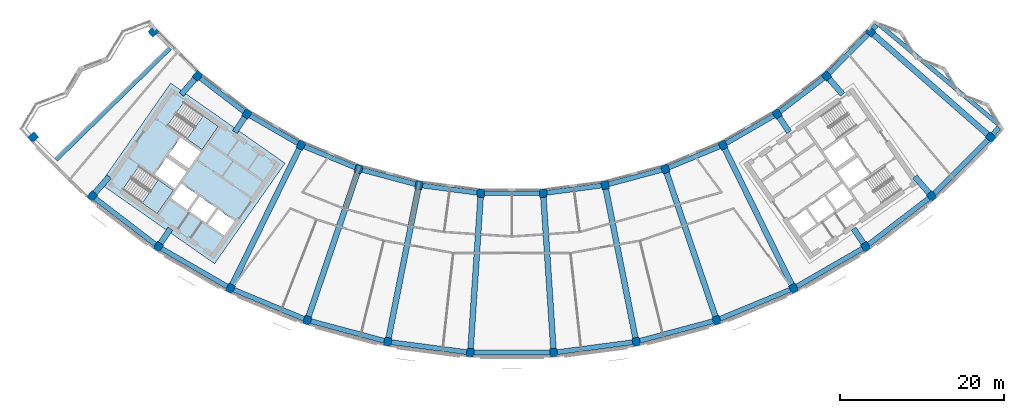
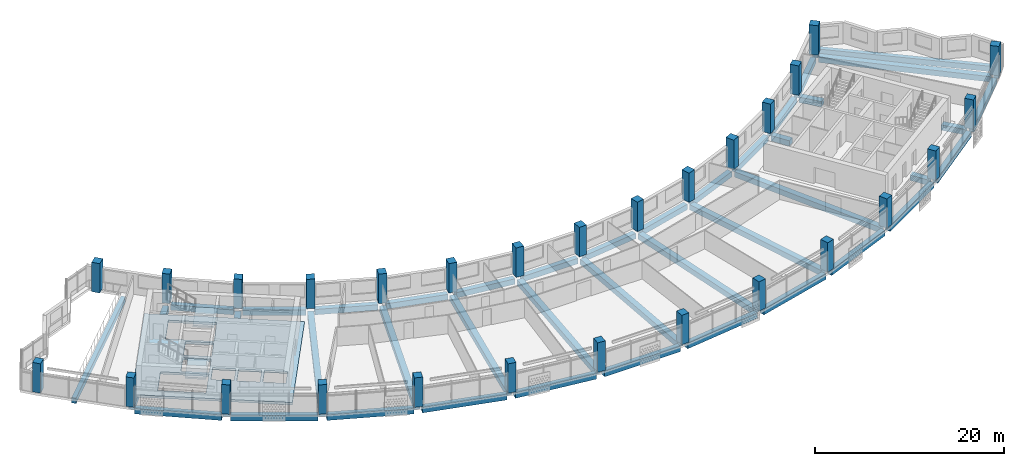
# One storey, part 1 of 29: 45 beams, 28 columns, 3 slabs, 2 elements without a shape of their own.
"""IFC4 building model written with IfcOpenShell, lengths in metres."""

from ifc_helpers import new_model, si_unit, direction, frame, origin, origin_2d, place, context, subcontext, project, spatial, polyline, rectangle, outline, extrude, material, layer, layer_set, material_profile, profile_set, type_object, element, aggregate, save


model = new_model("IFC4")

# Units and contexts
model_context = context("Model", 3, precision=1e-05, world=origin(), true_north=direction((0.0, 1.0)))
body_context = subcontext(model_context, "Body", "Model", "MODEL_VIEW")
ifc_project = project(units=[si_unit("LENGTHUNIT", "METRE"), si_unit("AREAUNIT", "SQUARE_METRE"), si_unit("VOLUMEUNIT", "CUBIC_METRE"), si_unit("PLANEANGLEUNIT", "RADIAN"), si_unit("MASSUNIT", "GRAM", prefix="KILO")], contexts=[model_context])

# Site, building, storey
site_placement = place(None, origin())
site = spatial("IfcSite", under=ifc_project, at=site_placement, CompositionType="ELEMENT")
building_placement = place(site_placement, origin())
building = spatial("IfcBuilding", under=site, at=building_placement, Name="Qamariyya Broadcast Tower", CompositionType="ELEMENT")
storey_placement = place(building_placement, frame((0.0, 0.0, 261.89990234375)))
storey = spatial("IfcBuildingStorey", under=building, at=storey_placement, Name="L63", CompositionType="ELEMENT", Elevation=261.89990234375)

# Columns
ifc_material_1 = material(Name="Concrete C50/60", Category="concrete")
ifc_material_profile_1 = material_profile(ifc_material_1, rectangle(XDim=0.89990234375, YDim=1.0, at=origin_2d()))
ifc_profile_set_1 = profile_set([ifc_material_profile_1], Name="Concrete C50/60")
column_type = type_object("IfcColumnType", Name="RC column 900 x 1000 C50/60", PredefinedType="COLUMN", material=ifc_profile_set_1)
for number, where, z_axis, x_axis, name in (
    (1, (-43.794677734375, -38.406982421875, 0.0), (0.0, 0.0, 1.0), (0.6593458151, -0.751839807479, 0.0), "Column C12 L63 B-R04"),
    (2, (-58.45556640625, -51.26416015625, 0.0), (0.0, 0.0, 1.0), (0.6593458151, -0.751839807479, 0.0), "Column C12 L63 C-R04"),
    (3, (-38.406982421875, -43.794677734375, 0.0), (0.0, 0.0, 1.0), (0.751839807479, -0.6593458151, 0.0), "Column C12 L63 B-R05"),
    (4, (-51.26416015625, -58.45556640625, 0.0), (0.0, 0.0, 1.0), (0.751839807479, -0.6593458151, 0.0), "Column C12 L63 C-R05"),
    (5, (-32.362060546875, -48.43310546875, 0.0), (0.0, 0.0, 1.0), (0.831469612303, -0.55557023302, 0.0), "Column C12 L63 B-R06"),
    (6, (-43.195556640625, -64.646728515625, 0.0), (0.0, 0.0, 1.0), (0.831469612303, -0.55557023302, 0.0), "Column C12 L63 C-R06"),
    (7, (-25.763427734375, -52.242919921875, 0.0), (0.0, 0.0, 1.0), (0.896872741533, -0.442288690219, 0.0), "Column C12 L63 B-R07"),
    (8, (-34.387939453125, -69.73193359375, 0.0), (0.0, 0.0, 1.0), (0.896872741533, -0.442288690219, 0.0), "Column C12 L63 C-R07"),
    (9, (-18.723876953125, -55.15869140625, 0.0), (0.0, 0.0, 1.0), (0.946930129495, -0.321439465303, 0.0), "Column C12 L63 B-R08"),
    (10, (-24.991943359375, -73.623779296875, 0.0), (0.0, 0.0, 1.0), (0.946930129495, -0.321439465303, 0.0), "Column C12 L63 C-R08"),
    (11, (-11.364013671875, -57.130859375, 0.0), (0.0, 0.0, 1.0), (0.980785280403, -0.195090322016, 0.0), "Column C12 L63 B-R09"),
    (12, (-15.168212890625, -76.256103515625, 0.0), (0.0, 0.0, 1.0), (0.980785280403, -0.195090322016, 0.0), "Column C12 L63 C-R09"),
    (13, (-3.809814453125, -58.125244140625, 0.0), (0.0, 0.0, 1.0), (0.997858923239, -0.06540312923, 0.0), "Column C12 L63 B-R10"),
    (14, (-5.085205078125, -77.58349609375, 0.0), (0.0, 0.0, 1.0), (0.997858923239, -0.06540312923, 0.0), "Column C12 L63 C-R10"),
    (15, (3.809814453125, -58.125244140625, 0.0), (0.0, 0.0, 1.0), (0.997858923239, 0.06540312923, 0.0), "Column C12 L63 B-R11"),
    (16, (5.085205078125, -77.58349609375, 0.0), (0.0, 0.0, 1.0), (0.997858923239, 0.06540312923, 0.0), "Column C12 L63 C-R11"),
    (17, (11.364013671875, -57.130859375, 0.0), (0.0, 0.0, 1.0), (0.980785280403, 0.195090322016, 0.0), "Column C12 L63 B-R12"),
    (18, (15.168212890625, -76.256103515625, 0.0), (0.0, 0.0, 1.0), (0.980785280403, 0.195090322016, 0.0), "Column C12 L63 C-R12"),
    (19, (18.723876953125, -55.15869140625, 0.0), (0.0, 0.0, 1.0), (0.946930129495, 0.321439465303, 0.0), "Column C12 L63 B-R13"),
    (20, (24.991943359375, -73.623779296875, 0.0), (0.0, 0.0, 1.0), (0.946930129495, 0.321439465303, 0.0), "Column C12 L63 C-R13"),
    (21, (25.763427734375, -52.242919921875, 0.0), (0.0, 0.0, 1.0), (0.896872741533, 0.442288690219, 0.0), "Column C12 L63 B-R14"),
    (22, (34.387939453125, -69.73193359375, 0.0), (0.0, 0.0, 1.0), (0.896872741533, 0.442288690219, 0.0), "Column C12 L63 C-R14"),
    (23, (32.362060546875, -48.43310546875, 0.0), (0.0, 0.0, 1.0), (0.831469612303, 0.55557023302, 0.0), "Column C12 L63 B-R15"),
    (24, (43.195556640625, -64.646728515625, 0.0), (0.0, 0.0, 1.0), (0.831469612303, 0.55557023302, 0.0), "Column C12 L63 C-R15"),
    (25, (38.406982421875, -43.794677734375, 0.0), (0.0, 0.0, 1.0), (0.751839807479, 0.6593458151, 0.0), "Column C12 L63 B-R16"),
    (26, (51.26416015625, -58.45556640625, 0.0), (0.0, 0.0, 1.0), (0.751839807479, 0.6593458151, 0.0), "Column C12 L63 C-R16"),
    (27, (43.794677734375, -38.406982421875, 0.0), (0.0, 0.0, 1.0), (0.6593458151, 0.751839807479, 0.0), "Column C12 L63 B-R17"),
    (28, (58.45556640625, -51.26416015625, 0.0), (0.0, 0.0, 1.0), (0.6593458151, 0.751839807479, 0.0), "Column C12 L63 C-R17"),
):
    element("IfcColumn", number, at=place(storey_placement, frame(where, z_axis=z_axis, x_axis=x_axis)), inside=storey, type_object=column_type, Name=name, PredefinedType="COLUMN", context=body_context, shape_type="SweptSolid", body=[
        extrude(rectangle(XDim=0.89990234375, YDim=1.0, at=origin_2d()), origin(), (0.0, 0.0, 1.0), 3.800048828125),
    ])

# Beams
ifc_material_2 = material(Name="Concrete C40/50", Category="concrete")
ifc_material_profile_2 = material_profile(ifc_material_2, rectangle(XDim=0.60009765625, YDim=0.699951171875, at=origin_2d()))
ifc_profile_set_2 = profile_set([ifc_material_profile_2], Name="Concrete C40/50")
beam_type_1 = type_object("IfcBeamType", Name="RC edge beam 600 x 700 C40/50", PredefinedType="SPANDREL", material=ifc_profile_set_2)
for number, where, z_axis, x_axis, name in (
    (29, (-38.049072265625, -44.069091796875, -0.64990234375), (0.793335450892, -0.608784742219, 0.0), (0.608784742219, 0.793335450892, 0.0), "Edge beam B20 L63 B R05-R06"),
    (30, (-31.971435546875, -48.65869140625, -0.64990234375), (0.866036098112, -0.499981476425, 0.0), (0.499981476425, 0.866036098112, 0.0), "Edge beam B20 L63 B R06-R07"),
    (31, (-25.3466796875, -52.41552734375, -0.64990234375), (0.923888821942, -0.382661004926, 0.0), (0.382661004926, 0.923888821942, 0.0), "Edge beam B20 L63 B R07-R08"),
    (32, (-18.288330078125, -55.275390625, -0.64990234375), (0.965930856343, -0.258800271955, 0.0), (0.258800271955, 0.965930856343, 0.0), "Edge beam B20 L63 B R08-R09"),
    (33, (-10.9169921875, -57.189697265625, -0.64990234375), (0.991447119382, -0.130509039798, 0.0), (0.130509039798, 0.991447119382, 0.0), "Edge beam B20 L63 B R09-R10"),
):
    element("IfcBeam", number, at=place(storey_placement, frame(where, z_axis=z_axis, x_axis=x_axis)), inside=storey, type_object=beam_type_1, Name=name, PredefinedType="SPANDREL", context=body_context, shape_type="SweptSolid", body=[
        extrude(rectangle(XDim=0.60009765625, YDim=0.699951171875, at=origin_2d()), origin(), (0.0, 0.0, 1.0), 6.717529296875),
    ])
beam_1_placement = place(storey_placement, frame((-3.35888671875, -58.125244140625, -0.64990234375), z_axis=(1.0, 0.0, 0.0), x_axis=(0.0, 1.0, 0.0)))
element("IfcBeam", 34, at=beam_1_placement, inside=storey, type_object=beam_type_1, Name="Edge beam B20 L63 B R10-R11", PredefinedType="SPANDREL", context=body_context, shape_type="SweptSolid", body=[
    extrude(rectangle(XDim=0.60009765625, YDim=0.699951171875, at=origin_2d()), origin(), (0.0, 0.0, 1.0), 6.7177734375),
])
for number, where, z_axis, x_axis, name in (
    (35, (4.2568359375, -58.06640625, -0.64990234375), (0.991447119382, 0.130509039798, 0.0), (-0.130509039798, 0.991447119382, 0.0), "Edge beam B20 L63 B R11-R12"),
    (36, (11.799560546875, -57.013916015625, -0.64990234375), (0.965930856343, 0.258800271955, 0.0), (-0.258800271955, 0.965930856343, 0.0), "Edge beam B20 L63 B R12-R13"),
    (37, (19.140380859375, -54.986083984375, -0.64990234375), (0.923888821942, 0.382661004926, 0.0), (-0.382661004926, 0.923888821942, 0.0), "Edge beam B20 L63 B R13-R14"),
    (38, (26.15380859375, -52.017333984375, -0.64990234375), (0.866036098112, 0.499981476425, 0.0), (-0.499981476425, 0.866036098112, 0.0), "Edge beam B20 L63 B R14-R15"),
    (39, (32.7197265625, -48.15869140625, -0.64990234375), (0.793335450892, 0.608784742219, 0.0), (-0.608784742219, 0.793335450892, 0.0), "Edge beam B20 L63 B R15-R16"),
    (40, (38.725830078125, -43.475830078125, -0.64990234375), (0.707106781187, 0.707106781187, 0.0), (-0.707106781187, 0.707106781187, 0.0), "Edge beam B20 L63 B R16-R17"),
):
    element("IfcBeam", number, at=place(storey_placement, frame(where, z_axis=z_axis, x_axis=x_axis)), inside=storey, type_object=beam_type_1, Name=name, PredefinedType="SPANDREL", context=body_context, shape_type="SweptSolid", body=[
        extrude(rectangle(XDim=0.60009765625, YDim=0.699951171875, at=origin_2d()), origin(), (0.0, 0.0, 1.0), 6.717529296875),
    ])
beam_2_placement = place(storey_placement, frame((-50.90625, -58.72998046875, -0.64990234375), z_axis=(0.793335362304, -0.608784857662, 0.0), x_axis=(0.608784857662, 0.793335362304, 0.0)))
element("IfcBeam", 41, at=beam_2_placement, inside=storey, type_object=beam_type_1, Name="Edge beam B20 L63 C R05-R06", PredefinedType="SPANDREL", context=body_context, shape_type="SweptSolid", body=[
    extrude(rectangle(XDim=0.60009765625, YDim=0.699951171875, at=origin_2d()), origin(), (0.0, 0.0, 1.0), 9.268310546875),
])
for number, where, z_axis, x_axis, name in (
    (42, (-42.804931640625, -64.872314453125, -0.64990234375), (0.866025032501, -0.50000064308, 0.0), (0.50000064308, 0.866025032501, 0.0), "Edge beam B20 L63 C R06-R07"),
    (43, (-33.97119140625, -69.904541015625, -0.64990234375), (0.923886165939, -0.382667417461, 0.0), (0.382667417461, 0.923886165939, 0.0), "Edge beam B20 L63 C R07-R08"),
):
    element("IfcBeam", number, at=place(storey_placement, frame(where, z_axis=z_axis, x_axis=x_axis)), inside=storey, type_object=beam_type_1, Name=name, PredefinedType="SPANDREL", context=body_context, shape_type="SweptSolid", body=[
        extrude(rectangle(XDim=0.60009765625, YDim=0.699951171875, at=origin_2d()), origin(), (0.0, 0.0, 1.0), 9.26806640625),
    ])
beam_3_placement = place(storey_placement, frame((-24.556396484375, -73.740478515625, -0.64990234375), z_axis=(0.965923830183, -0.258826494556, 0.0), x_axis=(0.258826494556, 0.965923830183, 0.0)))
element("IfcBeam", 44, at=beam_3_placement, inside=storey, type_object=beam_type_1, Name="Edge beam B20 L63 C R08-R09", PredefinedType="SPANDREL", context=body_context, shape_type="SweptSolid", body=[
    extrude(rectangle(XDim=0.60009765625, YDim=0.699951171875, at=origin_2d()), origin(), (0.0, 0.0, 1.0), 9.2685546875),
])
beam_4_placement = place(storey_placement, frame((-14.72119140625, -76.31494140625, -0.64990234375), z_axis=(0.991445327372, -0.130522652562, 0.0), x_axis=(0.130522652562, 0.991445327372, 0.0)))
element("IfcBeam", 45, at=beam_4_placement, inside=storey, type_object=beam_type_1, Name="Edge beam B20 L63 C R09-R10", PredefinedType="SPANDREL", context=body_context, shape_type="SweptSolid", body=[
    extrude(rectangle(XDim=0.60009765625, YDim=0.699951171875, at=origin_2d()), origin(), (0.0, 0.0, 1.0), 9.268310546875),
])
beam_5_placement = place(storey_placement, frame((-4.634033203125, -77.58349609375, -0.64990234375), z_axis=(1.0, 0.0, 0.0), x_axis=(0.0, 1.0, 0.0)))
element("IfcBeam", 46, at=beam_5_placement, inside=storey, type_object=beam_type_1, Name="Edge beam B20 L63 C R10-R11", PredefinedType="SPANDREL", context=body_context, shape_type="SweptSolid", body=[
    extrude(rectangle(XDim=0.60009765625, YDim=0.699951171875, at=origin_2d()), origin(), (0.0, 0.0, 1.0), 9.26806640625),
])
beam_6_placement = place(storey_placement, frame((5.5322265625, -77.524658203125, -0.64990234375), z_axis=(0.991445327372, 0.130522652562, 0.0), x_axis=(-0.130522652562, 0.991445327372, 0.0)))
element("IfcBeam", 47, at=beam_6_placement, inside=storey, type_object=beam_type_1, Name="Edge beam B20 L63 C R11-R12", PredefinedType="SPANDREL", context=body_context, shape_type="SweptSolid", body=[
    extrude(rectangle(XDim=0.60009765625, YDim=0.699951171875, at=origin_2d()), origin(), (0.0, 0.0, 1.0), 9.268310546875),
])
beam_7_placement = place(storey_placement, frame((15.603759765625, -76.139404296875, -0.64990234375), z_axis=(0.965923830183, 0.258826494556, 0.0), x_axis=(-0.258826494556, 0.965923830183, 0.0)))
element("IfcBeam", 48, at=beam_7_placement, inside=storey, type_object=beam_type_1, Name="Edge beam B20 L63 C R12-R13", PredefinedType="SPANDREL", context=body_context, shape_type="SweptSolid", body=[
    extrude(rectangle(XDim=0.60009765625, YDim=0.699951171875, at=origin_2d()), origin(), (0.0, 0.0, 1.0), 9.2685546875),
])
for number, where, z_axis, x_axis, name in (
    (49, (25.408447265625, -73.451171875, -0.64990234375), (0.923886165939, 0.382667417461, 0.0), (-0.382667417461, 0.923886165939, 0.0), "Edge beam B20 L63 C R13-R14"),
    (50, (34.778564453125, -69.50634765625, -0.64990234375), (0.866025032501, 0.50000064308, 0.0), (-0.50000064308, 0.866025032501, 0.0), "Edge beam B20 L63 C R14-R15"),
):
    element("IfcBeam", number, at=place(storey_placement, frame(where, z_axis=z_axis, x_axis=x_axis)), inside=storey, type_object=beam_type_1, Name=name, PredefinedType="SPANDREL", context=body_context, shape_type="SweptSolid", body=[
        extrude(rectangle(XDim=0.60009765625, YDim=0.699951171875, at=origin_2d()), origin(), (0.0, 0.0, 1.0), 9.26806640625),
    ])
for number, where, z_axis, x_axis, name in (
    (51, (43.553466796875, -64.372314453125, -0.64990234375), (0.793335362304, 0.608784857662, 0.0), (-0.608784857662, 0.793335362304, 0.0), "Edge beam B20 L63 C R15-R16"),
    (52, (51.5830078125, -58.13671875, -0.64990234375), (0.707106781187, 0.707106781187, 0.0), (-0.707106781187, 0.707106781187, 0.0), "Edge beam B20 L63 C R16-R17"),
):
    element("IfcBeam", number, at=place(storey_placement, frame(where, z_axis=z_axis, x_axis=x_axis)), inside=storey, type_object=beam_type_1, Name=name, PredefinedType="SPANDREL", context=body_context, shape_type="SweptSolid", body=[
        extrude(rectangle(XDim=0.60009765625, YDim=0.699951171875, at=origin_2d()), origin(), (0.0, 0.0, 1.0), 9.268310546875),
    ])
ifc_material_profile_3 = material_profile(ifc_material_2, rectangle(XDim=0.60009765625, YDim=0.699951171875, at=origin_2d()))
ifc_profile_set_3 = profile_set([ifc_material_profile_3], Name="Concrete C40/50")
beam_type_2 = type_object("IfcBeamType", Name="RC horn beam 600 x 700 C40/50", PredefinedType="BEAM", material=ifc_profile_set_3)
beam_8_placement = place(storey_placement, frame((44.08740234375, -38.065185546875, -0.64990234375), z_axis=(0.650605314818, 0.75941604166, 0.0), x_axis=(-0.75941604166, 0.650605314818, 0.0)))
element("IfcBeam", 53, at=beam_8_placement, inside=storey, type_object=beam_type_2, Name="Horn beam B19 L63 E B-R17", PredefinedType="BEAM", context=body_context, shape_type="SweptSolid", body=[
    extrude(rectangle(XDim=0.60009765625, YDim=0.699951171875, at=origin_2d()), origin(), (0.0, 0.0, 1.0), 0.6484375),
])
beam_9_placement = place(storey_placement, frame((58.748291015625, -50.92236328125, -0.64990234375), z_axis=(0.650626830951, 0.759397607875, 0.0), x_axis=(-0.759397607875, 0.650626830951, 0.0)))
element("IfcBeam", 54, at=beam_9_placement, inside=storey, type_object=beam_type_2, Name="Horn beam B19 L63 E C-R17", PredefinedType="BEAM", context=body_context, shape_type="SweptSolid", body=[
    extrude(rectangle(XDim=0.60009765625, YDim=0.699951171875, at=origin_2d()), origin(), (0.0, 0.0, 1.0), 1.099853515625),
])
ifc_material_profile_4 = material_profile(ifc_material_2, rectangle(XDim=0.5, YDim=0.699951171875, at=origin_2d()))
ifc_profile_set_4 = profile_set([ifc_material_profile_4], Name="Concrete C40/50")
beam_type_3 = type_object("IfcBeamType", Name="RC horn cap beam 500 x 700 C40/50", PredefinedType="BEAM", material=ifc_profile_set_4)
beam_10_placement = place(storey_placement, frame((44.902099609375, -37.575439453125, -0.64990234375), z_axis=(0.766899307389, -0.641767444115, 0.0), x_axis=(0.641767444115, 0.766899307389, 0.0)))
element("IfcBeam", 55, at=beam_10_placement, inside=storey, type_object=beam_type_3, Name="Horn cap beam B21 L63 E B-C", PredefinedType="BEAM", context=body_context, shape_type="SweptSolid", body=[
    extrude(rectangle(XDim=0.5, YDim=0.699951171875, at=origin_2d()), origin(), (0.0, 0.0, 1.0), 18.89990234375),
])
ifc_material_profile_5 = material_profile(ifc_material_2, rectangle(XDim=0.699951171875, YDim=0.699951171875, at=origin_2d()))
ifc_profile_set_5 = profile_set([ifc_material_profile_5], Name="Concrete C40/50")
beam_type_4 = type_object("IfcBeamType", Name="RC radial beam 700 x 700 C40/50", PredefinedType="BEAM", material=ifc_profile_set_5)
beam_11_placement = place(storey_placement, frame((-38.736572265625, -44.170654296875, -0.64990234375), z_axis=(-0.659370418704, -0.751818229986, 0.0), x_axis=(0.751818229986, -0.659370418704, 0.0)))
element("IfcBeam", 56, at=beam_11_placement, inside=storey, type_object=beam_type_4, Name="Radial beam B18 L63 R05 B-C", PredefinedType="BEAM", context=body_context, shape_type="SweptSolid", body=[
    extrude(rectangle(XDim=0.699951171875, YDim=0.699951171875, at=origin_2d()), origin(), (0.0, 0.0, 1.0), 2.51416015625),
])
beam_12_placement = place(storey_placement, frame((-49.1943359375, -56.095458984375, -0.64990234375), z_axis=(-0.659388288985, -0.751802556759, 0.0), x_axis=(0.751802556759, -0.659388288985, 0.0)))
element("IfcBeam", 57, at=beam_12_placement, inside=storey, type_object=beam_type_4, Name="Radial beam B18 L63 R05 B-C", PredefinedType="BEAM", context=body_context, shape_type="SweptSolid", body=[
    extrude(rectangle(XDim=0.699951171875, YDim=0.699951171875, at=origin_2d()), origin(), (0.0, 0.0, 1.0), 2.63916015625),
])
beam_13_placement = place(storey_placement, frame((-32.6396484375, -48.848876953125, -0.64990234375), z_axis=(-0.555636925355, -0.83142504604, 0.0), x_axis=(0.83142504604, -0.555636925355, 0.0)))
element("IfcBeam", 58, at=beam_13_placement, inside=storey, type_object=beam_type_4, Name="Radial beam B18 L63 R06 B-C", PredefinedType="BEAM", context=body_context, shape_type="SweptSolid", body=[
    extrude(rectangle(XDim=0.699951171875, YDim=0.699951171875, at=origin_2d()), origin(), (0.0, 0.0, 1.0), 2.16455078125),
])
beam_14_placement = place(storey_placement, frame((-41.733154296875, -62.458251953125, -0.64990234375), z_axis=(-0.555598329138, -0.83145083839, 0.0), x_axis=(0.83145083839, -0.555598329138, 0.0)))
element("IfcBeam", 59, at=beam_14_placement, inside=storey, type_object=beam_type_4, Name="Radial beam B18 L63 R06 B-C", PredefinedType="BEAM", context=body_context, shape_type="SweptSolid", body=[
    extrude(rectangle(XDim=0.699951171875, YDim=0.699951171875, at=origin_2d()), origin(), (0.0, 0.0, 1.0), 2.132080078125),
])
for number, where, z_axis, x_axis, name in (
    (60, (-25.984375, -52.691162109375, -0.64990234375), (-0.442287103846, -0.896873523843, 0.0), (0.896873523843, -0.442287103846, 0.0), "Radial beam B18 L63 R07 B-C"),
    (61, (-18.884521484375, -55.632080078125, -0.64990234375), (-0.321444904473, -0.946928283128, 0.0), (0.946928283128, -0.321444904473, 0.0), "Radial beam B18 L63 R08 B-C"),
):
    element("IfcBeam", number, at=place(storey_placement, frame(where, z_axis=z_axis, x_axis=x_axis)), inside=storey, type_object=beam_type_4, Name=name, PredefinedType="BEAM", context=body_context, shape_type="SweptSolid", body=[
        extrude(rectangle(XDim=0.699951171875, YDim=0.699951171875, at=origin_2d()), origin(), (0.0, 0.0, 1.0), 18.500244140625),
    ])
for number, where, z_axis, x_axis, name in (
    (62, (-11.461669921875, -57.62109375, -0.64990234375), (-0.195088200207, -0.980785702455, 0.0), (0.980785702455, -0.195088200207, 0.0), "Radial beam B18 L63 R09 B-C"),
    (63, (-3.842529296875, -58.624267578125, -0.64990234375), (-0.065403084588, -0.997858926165, 0.0), (0.997858926165, -0.065403084588, 0.0), "Radial beam B18 L63 R10 B-C"),
    (64, (3.842529296875, -58.624267578125, -0.64990234375), (0.065403084588, -0.997858926165, 0.0), (0.997858926165, 0.065403084588, 0.0), "Radial beam B18 L63 R11 B-C"),
    (65, (11.461669921875, -57.62109375, -0.64990234375), (0.195088200207, -0.980785702455, 0.0), (0.980785702455, 0.195088200207, 0.0), "Radial beam B18 L63 R12 B-C"),
):
    element("IfcBeam", number, at=place(storey_placement, frame(where, z_axis=z_axis, x_axis=x_axis)), inside=storey, type_object=beam_type_4, Name=name, PredefinedType="BEAM", context=body_context, shape_type="SweptSolid", body=[
        extrude(rectangle(XDim=0.699951171875, YDim=0.699951171875, at=origin_2d()), origin(), (0.0, 0.0, 1.0), 18.5),
    ])
for number, where, z_axis, x_axis, name in (
    (66, (18.884521484375, -55.632080078125, -0.64990234375), (0.321444904473, -0.946928283128, 0.0), (0.946928283128, 0.321444904473, 0.0), "Radial beam B18 L63 R13 B-C"),
    (67, (25.984375, -52.691162109375, -0.64990234375), (0.442287103846, -0.896873523843, 0.0), (0.896873523843, 0.442287103846, 0.0), "Radial beam B18 L63 R14 B-C"),
):
    element("IfcBeam", number, at=place(storey_placement, frame(where, z_axis=z_axis, x_axis=x_axis)), inside=storey, type_object=beam_type_4, Name=name, PredefinedType="BEAM", context=body_context, shape_type="SweptSolid", body=[
        extrude(rectangle(XDim=0.699951171875, YDim=0.699951171875, at=origin_2d()), origin(), (0.0, 0.0, 1.0), 18.500244140625),
    ])
beam_15_placement = place(storey_placement, frame((32.6396484375, -48.848876953125, -0.64990234375), z_axis=(0.555636925355, -0.83142504604, 0.0), x_axis=(0.83142504604, 0.555636925355, 0.0)))
element("IfcBeam", 68, at=beam_15_placement, inside=storey, type_object=beam_type_4, Name="Radial beam B18 L63 R15 B-C", PredefinedType="BEAM", context=body_context, shape_type="SweptSolid", body=[
    extrude(rectangle(XDim=0.699951171875, YDim=0.699951171875, at=origin_2d()), origin(), (0.0, 0.0, 1.0), 2.16455078125),
])
beam_16_placement = place(storey_placement, frame((41.733154296875, -62.458251953125, -0.64990234375), z_axis=(0.555598329138, -0.83145083839, 0.0), x_axis=(0.83145083839, 0.555598329138, 0.0)))
element("IfcBeam", 69, at=beam_16_placement, inside=storey, type_object=beam_type_4, Name="Radial beam B18 L63 R15 B-C", PredefinedType="BEAM", context=body_context, shape_type="SweptSolid", body=[
    extrude(rectangle(XDim=0.699951171875, YDim=0.699951171875, at=origin_2d()), origin(), (0.0, 0.0, 1.0), 2.132080078125),
])
beam_17_placement = place(storey_placement, frame((38.736572265625, -44.170654296875, -0.64990234375), z_axis=(0.659370418704, -0.751818229986, 0.0), x_axis=(0.751818229986, 0.659370418704, 0.0)))
element("IfcBeam", 70, at=beam_17_placement, inside=storey, type_object=beam_type_4, Name="Radial beam B18 L63 R16 B-C", PredefinedType="BEAM", context=body_context, shape_type="SweptSolid", body=[
    extrude(rectangle(XDim=0.699951171875, YDim=0.699951171875, at=origin_2d()), origin(), (0.0, 0.0, 1.0), 2.51416015625),
])
beam_18_placement = place(storey_placement, frame((49.1943359375, -56.095458984375, -0.64990234375), z_axis=(0.659388288985, -0.751802556759, 0.0), x_axis=(0.751802556759, 0.659388288985, 0.0)))
element("IfcBeam", 71, at=beam_18_placement, inside=storey, type_object=beam_type_4, Name="Radial beam B18 L63 R16 B-C", PredefinedType="BEAM", context=body_context, shape_type="SweptSolid", body=[
    extrude(rectangle(XDim=0.699951171875, YDim=0.699951171875, at=origin_2d()), origin(), (0.0, 0.0, 1.0), 2.63916015625),
])
beam_19_placement = place(storey_placement, frame((44.170654296875, -38.736572265625, -0.64990234375), z_axis=(0.751834744467, -0.659351588314, 0.0), x_axis=(0.659351588314, 0.751834744467, 0.0)))
element("IfcBeam", 72, at=beam_19_placement, inside=storey, type_object=beam_type_4, Name="Radial beam B18 L63 R17 B-C", PredefinedType="BEAM", context=body_context, shape_type="SweptSolid", body=[
    extrude(rectangle(XDim=0.699951171875, YDim=0.699951171875, at=origin_2d()), origin(), (0.0, 0.0, 1.0), 18.5),
])
ifc_material_profile_6 = material_profile(ifc_material_2, rectangle(XDim=0.5, YDim=0.699951171875, at=origin_2d()))
ifc_profile_set_6 = profile_set([ifc_material_profile_6], Name="Concrete C40/50")
beam_type_5 = type_object("IfcBeamType", Name="RC trimmer beam 500 x 700 C40/50", PredefinedType="BEAM", material=ifc_profile_set_6)
beam_20_placement = place(storey_placement, frame((-55.682861328125, -54.038818359375, -0.64990234375), z_axis=(0.714471222213, 0.699664828778, 0.0), x_axis=(-0.699664828778, 0.714471222213, 0.0)))
element("IfcBeam", 73, at=beam_20_placement, inside=storey, type_object=beam_type_5, Name="Trimmer beam B22 L63 void 1", PredefinedType="BEAM", context=body_context, shape_type="SweptSolid", body=[
    extrude(rectangle(XDim=0.5, YDim=0.699951171875, at=origin_2d()), origin(), (0.0, 0.0, 1.0), 19.456787109375),
])

# Slab
ifc_layer_1 = layer(ifc_material_2, 0.300048828125)
ifc_layer_set_1 = layer_set([ifc_layer_1], Name="Core floor slab 300 mm Concrete C40/50")
slab_type_1 = type_object("IfcSlabType", Name="Core floor slab 300 mm Concrete C40/50", PredefinedType="FLOOR", material=ifc_layer_set_1)
slab_1_placement = place(storey_placement, frame((0.0, 0.0, -0.2998046875)))
element("IfcSlab", 74, at=slab_1_placement, inside=storey, type_object=slab_type_1, Name="k-W-L63-slab", PredefinedType="FLOOR", context=body_context, shape_type="SweptSolid", body=[
    extrude(outline(polyline([(-50.286376953125, -56.95751953125), (-36.32373046875, -66.734375), (-27.719970703125, -54.447021484375), (-41.6826171875, -44.67041015625), (-50.286376953125, -56.95751953125)]), holes=[polyline([(-33.87353515625, -61.49169921875), (-35.88037109375, -60.08642578125), (-37.142333984375, -61.888427734375), (-35.13525390625, -63.293701171875), (-33.87353515625, -61.49169921875)]), polyline([(-36.126220703125, -59.914306640625), (-38.133056640625, -58.509033203125), (-39.394775390625, -60.311279296875), (-37.387939453125, -61.716552734375), (-36.126220703125, -59.914306640625)]), polyline([(-38.378662109375, -58.3369140625), (-40.3857421875, -56.931640625), (-41.6474609375, -58.73388671875), (-39.640625, -60.13916015625), (-38.378662109375, -58.3369140625)]), polyline([(-39.742431640625, -55.489990234375), (-42.199951171875, -53.769287109375), (-43.6337890625, -55.817138671875), (-41.17626953125, -57.537841796875), (-39.742431640625, -55.489990234375)]), polyline([(-39.45556640625, -55.080322265625), (-41.9130859375, -53.359619140625), (-40.47900390625, -51.311767578125), (-38.021728515625, -53.032470703125), (-39.45556640625, -55.080322265625)]), polyline([(-42.06103515625, -49.837890625), (-37.849609375, -52.78662109375), (-35.870849609375, -49.960693359375), (-40.082275390625, -47.01171875), (-42.06103515625, -49.837890625)]), polyline([(-47.538818359375, -57.66064453125), (-43.3271484375, -60.609619140625), (-41.348388671875, -57.783447265625), (-45.559814453125, -54.834716796875), (-47.538818359375, -57.66064453125)])]), origin(), (0.0, 0.0, 1.0), 0.2998046875),
])

# Stair, slab
stair_type = type_object("IfcStairType", Name="Exit stair 22 risers of 173 mm", PredefinedType="HALF_TURN_STAIR", material=ifc_material_1)
stair_1_placement = place(storey_placement, origin())
stair_1 = element("IfcStair", 75, at=stair_1_placement, inside=storey, type_object=stair_type, Name="L63 Stair W2", PredefinedType="HALF_TURN_STAIR")
ifc_layer_2 = layer(ifc_material_1, 0.199951171875)
ifc_layer_set_2 = layer_set([ifc_layer_2], Name="Stair landing")
slab_type_2 = type_object("IfcSlabType", Name="Stair landing", PredefinedType="LANDING", material=ifc_layer_set_2)
slab_2_placement = place(storey_placement, frame((0.0, 0.0, 1.7001953125)))
slab_2 = element("IfcSlab", 76, at=slab_2_placement, type_object=slab_type_2, Name="ST-W2 landing 1", PredefinedType="LANDING", context=body_context, shape_type="SweptSolid", body=[
    extrude(outline(polyline([(-39.692138671875, -51.49658203125), (-37.849609375, -52.78662109375), (-35.870849609375, -49.960693359375), (-37.71337890625, -48.67041015625), (-39.692138671875, -51.49658203125)])), origin(), (0.0, 0.0, 1.0), 0.199951171875),
])
aggregate(stair_1, [slab_2])

stair_2_placement = place(storey_placement, origin())
stair_2 = element("IfcStair", 77, at=stair_2_placement, inside=storey, type_object=stair_type, Name="L63 Stair W1", PredefinedType="HALF_TURN_STAIR")
slab_3_placement = place(storey_placement, frame((0.0, 0.0, 1.7001953125)))
slab_3 = element("IfcSlab", 78, at=slab_3_placement, type_object=slab_type_2, Name="ST-W1 landing 1", PredefinedType="LANDING", context=body_context, shape_type="SweptSolid", body=[
    extrude(outline(polyline([(-45.169677734375, -59.319580078125), (-43.3271484375, -60.609619140625), (-41.348388671875, -57.783447265625), (-43.19091796875, -56.493408203125), (-45.169677734375, -59.319580078125)])), origin(), (0.0, 0.0, 1.0), 0.199951171875),
])
aggregate(stair_2, [slab_3])

save(model, "model.ifc")
